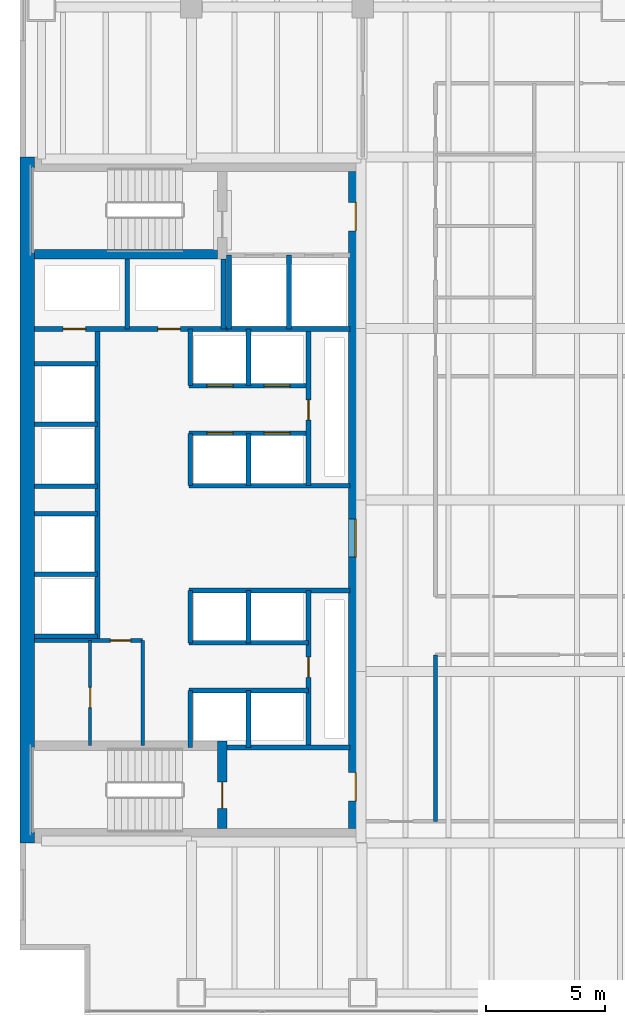
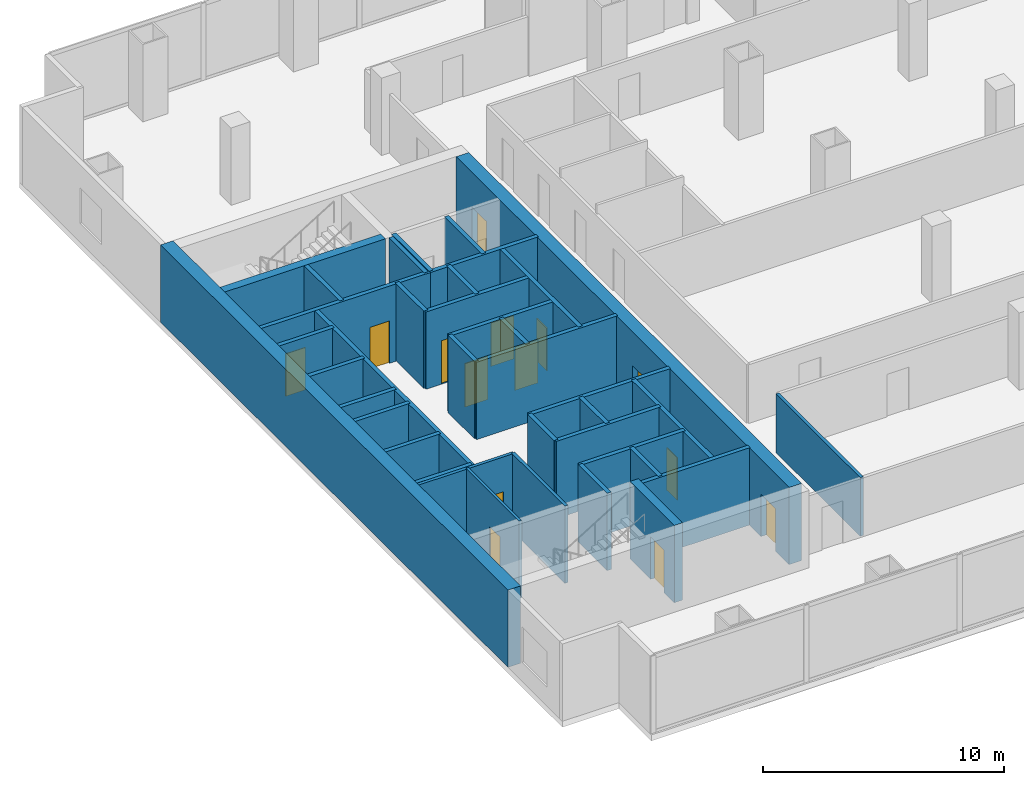
# One storey, part 22 of 29: 38 walls, 14 doors, 14 openings.
"""IFC4 building model written with IfcOpenShell, lengths in metres."""

from ifc_helpers import new_model, si_unit, direction, frame, frame_2d, origin, place, context, subcontext, project, spatial, rectangle, extrude, material, layer, layer_set, type_object, element, fill, save


model = new_model("IFC4")

# Units and contexts
model_context = context("Model", 3, precision=1e-05, world=origin(), true_north=direction((0.0, 1.0)))
body_context = subcontext(model_context, "Body", "Model", "MODEL_VIEW")
ifc_project = project(units=[si_unit("LENGTHUNIT", "METRE"), si_unit("AREAUNIT", "SQUARE_METRE"), si_unit("VOLUMEUNIT", "CUBIC_METRE"), si_unit("PLANEANGLEUNIT", "RADIAN"), si_unit("MASSUNIT", "GRAM", prefix="KILO")], contexts=[model_context])

# Site, building, storey
site_placement = place(None, origin())
site = spatial("IfcSite", under=ifc_project, at=site_placement, CompositionType="ELEMENT")
building_placement = place(site_placement, origin())
building = spatial("IfcBuilding", under=site, at=building_placement, Name="Cobrela Telecom Tower", CompositionType="ELEMENT")
storey_placement = place(building_placement, frame((0.0, 0.0, 13.64990234375)))
storey = spatial("IfcBuildingStorey", under=building, at=storey_placement, Name="L03", CompositionType="ELEMENT", Elevation=13.64990234375)

# Wall
ifc_material_1 = material(Name="Concrete C50/60", Category="concrete")
ifc_layer_1 = layer(ifc_material_1, 0.60009765625)
ifc_layer_set_1 = layer_set([ifc_layer_1], Name="Concrete C50/60")
wall_type_1 = type_object("IfcWallType", Name="WALL-CORE-C50-600", PredefinedType="SHEAR", material=ifc_layer_set_1)
wall_1_placement = place(storey_placement, frame((0.300048828125, 7.199951171875, 0.0), z_axis=(0.0, 0.0, 1.0), x_axis=(0.0, 1.0, 0.0)))
element("IfcWall", 1, at=wall_1_placement, inside=storey, type_object=wall_type_1, Name="L03 West Core Shear Wall", PredefinedType="SHEAR", context=body_context, shape_type="SweptSolid", body=[
    extrude(rectangle(XDim=28.800048828125, YDim=0.60009765625, at=frame_2d((14.39990234375, 0.0))), origin(), (0.0, 0.0, 1.0), 3.91015625),
])

# Wall, openings, doors
wall_2_placement = place(storey_placement, frame((14.10009765625, 35.39990234375, 0.0), z_axis=(0.0, 0.0, 1.0), x_axis=(0.0, -1.0, 0.0)))
wall_2 = element("IfcWall", 2, at=wall_2_placement, inside=storey, type_object=wall_type_1, Name="L03 East Core Shear Wall", PredefinedType="SHEAR", context=body_context, shape_type="SweptSolid", body=[
    extrude(rectangle(XDim=27.599853515625, YDim=0.60009765625, at=frame_2d((13.7998046875, 0.0))), origin(), (0.0, 0.0, 1.0), 3.91015625),
])
opening_1_placement = place(wall_2_placement, frame((1.300048828125, 0.0, 0.0)))
opening_1 = element("IfcOpeningElement", 3, at=opening_1_placement, cuts=wall_2, Name="Opening DR-19", PredefinedType="OPENING", context=body_context, shape_type="SweptSolid", body=[
    extrude(rectangle(XDim=1.199951171875, YDim=2.14990234375, at=frame_2d((0.60009765625, 1.074951171875))), frame((0.0, 0.31201171875, 0.0), z_axis=(0.0, -1.0, 0.0), x_axis=(1.0, 0.0, 0.0)), (0.0, 0.0, 1.0), 0.6240234375),
])
opening_2_placement = place(wall_2_placement, frame((25.25, 0.0, 0.0)))
opening_2 = element("IfcOpeningElement", 4, at=opening_2_placement, cuts=wall_2, Name="Opening DR-19", PredefinedType="OPENING", context=body_context, shape_type="SweptSolid", body=[
    extrude(rectangle(XDim=1.199951171875, YDim=2.14990234375, at=frame_2d((0.60009765625, 1.074951171875))), frame((0.0, 0.31201171875, 0.0), z_axis=(0.0, -1.0, 0.0), x_axis=(1.0, 0.0, 0.0)), (0.0, 0.0, 1.0), 0.6240234375),
])
opening_3_placement = place(wall_2_placement, frame((14.60009765625, 0.0, 0.0)))
opening_3 = element("IfcOpeningElement", 5, at=opening_3_placement, cuts=wall_2, Name="Opening DR-51", PredefinedType="OPENING", context=body_context, shape_type="SweptSolid", body=[
    extrude(rectangle(XDim=1.60009765625, YDim=2.199951171875, at=frame_2d((0.800048828125, 1.10009765625))), frame((0.0, 0.31201171875, 0.0), z_axis=(0.0, -1.0, 0.0), x_axis=(1.0, 0.0, 0.0)), (0.0, 0.0, 1.0), 0.6240234375),
])
ifc_material_2 = material(Name="Steel ASTM A36", Category="steel")
door_type_1 = type_object("IfcDoorType", Name="DOOR-FD60-1200", OperationType="SINGLE_SWING_LEFT", PredefinedType="DOOR", material=ifc_material_2)
door_1_placement = place(opening_1_placement, origin())
door_1 = element("IfcDoor", 6, at=door_1_placement, inside=storey, type_object=door_type_1, Name="L03 Door DR-19", OperationType="SINGLE_SWING_LEFT", OverallHeight=2.14990234375, OverallWidth=1.199951171875, PredefinedType="DOOR", context=body_context, shape_type="SweptSolid", body=[
    extrude(rectangle(XDim=1.199951171875, YDim=2.14990234375, at=frame_2d((0.60009765625, 1.074951171875))), frame((0.0, 0.02490234375, 0.0), z_axis=(0.0, -1.0, 0.0), x_axis=(1.0, 0.0, 0.0)), (0.0, 0.0, 1.0), 0.050048828125),
])
fill(opening_1, door_1)
door_2_placement = place(opening_2_placement, origin())
door_2 = element("IfcDoor", 7, at=door_2_placement, inside=storey, type_object=door_type_1, Name="L03 Door DR-19", OperationType="SINGLE_SWING_RIGHT", OverallHeight=2.14990234375, OverallWidth=1.199951171875, PredefinedType="DOOR", context=body_context, shape_type="SweptSolid", body=[
    extrude(rectangle(XDim=1.199951171875, YDim=2.14990234375, at=frame_2d((0.60009765625, 1.074951171875))), frame((0.0, 0.02490234375, 0.0), z_axis=(0.0, -1.0, 0.0), x_axis=(1.0, 0.0, 0.0)), (0.0, 0.0, 1.0), 0.050048828125),
])
fill(opening_2, door_2)
door_type_2 = type_object("IfcDoorType", Name="DOOR-FD60-1600", OperationType="SINGLE_SWING_LEFT", PredefinedType="DOOR", material=ifc_material_2)
door_3_placement = place(opening_3_placement, origin())
door_3 = element("IfcDoor", 8, at=door_3_placement, inside=storey, type_object=door_type_2, Name="L03 Door DR-51", OperationType="DOUBLE_DOOR_SINGLE_SWING", OverallHeight=2.199951171875, OverallWidth=1.60009765625, PredefinedType="DOOR", context=body_context, shape_type="SweptSolid", body=[
    extrude(rectangle(XDim=1.60009765625, YDim=2.199951171875, at=frame_2d((0.800048828125, 1.10009765625))), frame((0.0, 0.02490234375, 0.0), z_axis=(0.0, -1.0, 0.0), x_axis=(1.0, 0.0, 0.0)), (0.0, 0.0, 1.0), 0.050048828125),
])
fill(opening_3, door_3)

# Wall, opening, door
ifc_material_3 = material(Name="Fire-Rated Gypsum Plasterboard")
ifc_layer_2 = layer(ifc_material_3, 0.125)
ifc_layer_set_2 = layer_set([ifc_layer_2], Name="Fire-Rated Gypsum Plasterboard")
wall_type_2 = type_object("IfcWallType", Name="WALL-PART-125", PredefinedType="PARTITIONING", material=ifc_layer_set_2)
wall_3_placement = place(storey_placement, frame((2.949951171875, 11.280029296875, 0.0), z_axis=(0.0, 0.0, 1.0), x_axis=(0.0, 1.0, 0.0)))
wall_3 = element("IfcWall", 9, at=wall_3_placement, inside=storey, type_object=wall_type_2, Name="L03 Interior Partition CW-FK1-V", PredefinedType="PARTITIONING", context=body_context, shape_type="SweptSolid", body=[
    extrude(rectangle(XDim=4.419921875, YDim=0.125, at=frame_2d((2.2099609375, 0.0))), origin(), (0.0, 0.0, 1.0), 3.91015625),
])
opening_4_placement = place(wall_3_placement, frame((1.60009765625, 0.0, 0.0)))
opening_4 = element("IfcOpeningElement", 10, at=opening_4_placement, cuts=wall_3, Name="Opening DR-11", PredefinedType="OPENING", context=body_context, shape_type="SweptSolid", body=[
    extrude(rectangle(XDim=0.85009765625, YDim=2.14990234375, at=frame_2d((0.425048828125, 1.074951171875))), frame((0.0, 0.074462890625, 0.0), z_axis=(0.0, -1.0, 0.0), x_axis=(1.0, 0.0, 0.0)), (0.0, 0.0, 1.0), 0.14892578125),
])
ifc_material_4 = material(Name="Solid Engineered Oak Timber", Category="wood")
door_type_3 = type_object("IfcDoorType", Name="DOOR-INT-850", OperationType="SINGLE_SWING_LEFT", PredefinedType="DOOR", material=ifc_material_4)
door_4_placement = place(opening_4_placement, origin())
door_4 = element("IfcDoor", 11, at=door_4_placement, inside=storey, type_object=door_type_3, Name="L03 Door DR-11", OperationType="SINGLE_SWING_RIGHT", OverallHeight=2.14990234375, OverallWidth=0.85009765625, PredefinedType="DOOR", context=body_context, shape_type="SweptSolid", body=[
    extrude(rectangle(XDim=0.85009765625, YDim=2.14990234375, at=frame_2d((0.425048828125, 1.074951171875))), frame((0.0, 0.02490234375, 0.0), z_axis=(0.0, -1.0, 0.0), x_axis=(1.0, 0.0, 0.0)), (0.0, 0.0, 1.0), 0.050048828125),
])
fill(opening_4, door_4)

ifc_layer_3 = layer(ifc_material_3, 0.14990234375)
ifc_layer_set_3 = layer_set([ifc_layer_3], Name="Fire-Rated Gypsum Plasterboard")
wall_type_3 = type_object("IfcWallType", Name="WALL-PART-150", PredefinedType="PARTITIONING", material=ifc_layer_set_3)
wall_4_placement = place(storey_placement, frame((0.60009765625, 15.699951171875, 0.0), z_axis=(0.0, 0.0, 1.0), x_axis=(1.0, 0.0, 0.0)))
wall_4 = element("IfcWall", 12, at=wall_4_placement, inside=storey, type_object=wall_type_3, Name="L03 Interior Partition CW-FLEX-N", PredefinedType="PARTITIONING", context=body_context, shape_type="SweptSolid", body=[
    extrude(rectangle(XDim=4.5498046875, YDim=0.14990234375, at=frame_2d((2.27490234375, 0.0))), origin(), (0.0, 0.0, 1.0), 3.91015625),
])
opening_5_placement = place(wall_4_placement, frame((3.199951171875, 0.0, 0.0)))
opening_5 = element("IfcOpeningElement", 13, at=opening_5_placement, cuts=wall_4, Name="Opening DR-11", PredefinedType="OPENING", context=body_context, shape_type="SweptSolid", body=[
    extrude(rectangle(XDim=0.85009765625, YDim=2.14990234375, at=frame_2d((0.425048828125, 1.074951171875))), frame((0.0, 0.0869140625, 0.0), z_axis=(0.0, -1.0, 0.0), x_axis=(1.0, 0.0, 0.0)), (0.0, 0.0, 1.0), 0.173828125),
])
door_5_placement = place(opening_5_placement, origin())
door_5 = element("IfcDoor", 14, at=door_5_placement, inside=storey, type_object=door_type_3, Name="L03 Door DR-11", OperationType="SINGLE_SWING_LEFT", OverallHeight=2.14990234375, OverallWidth=0.85009765625, PredefinedType="DOOR", context=body_context, shape_type="SweptSolid", body=[
    extrude(rectangle(XDim=0.85009765625, YDim=2.14990234375, at=frame_2d((0.425048828125, 1.074951171875))), frame((0.0, 0.02490234375, 0.0), z_axis=(0.0, -1.0, 0.0), x_axis=(1.0, 0.0, 0.0)), (0.0, 0.0, 1.0), 0.050048828125),
])
fill(opening_5, door_5)

# Walls
wall_5_placement = place(storey_placement, frame((5.14990234375, 11.280029296875, 0.0), z_axis=(0.0, 0.0, 1.0), x_axis=(0.0, 1.0, 0.0)))
element("IfcWall", 15, at=wall_5_placement, inside=storey, type_object=wall_type_3, Name="L03 Interior Partition CW-FLEX-E", PredefinedType="PARTITIONING", context=body_context, shape_type="SweptSolid", body=[
    extrude(rectangle(XDim=4.419921875, YDim=0.14990234375, at=frame_2d((2.2099609375, 0.0))), origin(), (0.0, 0.0, 1.0), 3.91015625),
])
wall_6_placement = place(storey_placement, frame((17.449951171875, 8.10009765625, 0.0), z_axis=(0.0, 0.0, 1.0), x_axis=(0.0, 1.0, 0.0)))
element("IfcWall", 16, at=wall_6_placement, inside=storey, type_object=wall_type_3, Name="L03 Interior Partition W-PC-E1", PredefinedType="PARTITIONING", context=body_context, shape_type="SweptSolid", body=[
    extrude(rectangle(XDim=7.0, YDim=0.14990234375, at=frame_2d((3.5, 0.0))), origin(), (0.0, 0.0, 1.0), 2.968017578125),
])
ifc_layer_4 = layer(ifc_material_3, 0.199951171875)
ifc_layer_set_4 = layer_set([ifc_layer_4], Name="Fire-Rated Gypsum Plasterboard")
wall_type_4 = type_object("IfcWallType", Name="WALL-SHAFT-200", PredefinedType="PARTITIONING", material=ifc_layer_set_4)
for number, where, z_axis, x_axis, name in (
    (17, (8.699951171875, 11.199951171875, 0.0), (0.0, 0.0, 1.0), (1.0, 0.0, 0.0), "L03 Shaft Enclosure CW-ST2L-N"),
    (18, (8.699951171875, 28.780029296875, 0.0), (0.0, 0.0, 1.0), (1.0, 0.0, 0.0), "L03 Shaft Enclosure CW-FFL-S2"),
):
    element("IfcWall", number, at=place(storey_placement, frame(where, z_axis=z_axis, x_axis=x_axis)), inside=storey, type_object=wall_type_4, Name=name, PredefinedType="PARTITIONING", context=body_context, shape_type="SweptSolid", body=[
        extrude(rectangle(XDim=5.150146484375, YDim=0.199951171875, at=frame_2d((2.5751953125, 0.0))), origin(), (0.0, 0.0, 1.0), 3.91015625),
    ])
for number, where, z_axis, x_axis, name in (
    (19, (8.780029296875, 28.780029296875, 0.0), (0.0, 0.0, 1.0), (0.0, 1.0, 0.0), "L03 Shaft Enclosure CW-FFL-W"),
    (20, (11.300048828125, 28.780029296875, 0.0), (0.0, 0.0, 1.0), (0.0, 1.0, 0.0), "L03 Shaft Enclosure CW-FFL-M"),
):
    element("IfcWall", number, at=place(storey_placement, frame(where, z_axis=z_axis, x_axis=x_axis)), inside=storey, type_object=wall_type_4, Name=name, PredefinedType="PARTITIONING", context=body_context, shape_type="SweptSolid", body=[
        extrude(rectangle(XDim=3.099853515625, YDim=0.199951171875, at=frame_2d((1.5498046875, 0.0))), origin(), (0.0, 0.0, 1.0), 3.91015625),
    ])

# Wall, openings, doors
wall_7_placement = place(storey_placement, frame((0.60009765625, 28.780029296875, 0.0), z_axis=(0.0, 0.0, 1.0), x_axis=(1.0, 0.0, 0.0)))
wall_7 = element("IfcWall", 21, at=wall_7_placement, inside=storey, type_object=wall_type_4, Name="L03 Shaft Enclosure CW-RIS-S", PredefinedType="PARTITIONING", context=body_context, shape_type="SweptSolid", body=[
    extrude(rectangle(XDim=8.179931640625, YDim=0.199951171875, at=frame_2d((4.08984375, 0.0))), origin(), (0.0, 0.0, 1.0), 3.91015625),
])
opening_6_placement = place(wall_7_placement, frame((1.2099609375, 0.0, 0.0)))
opening_6 = element("IfcOpeningElement", 22, at=opening_6_placement, cuts=wall_7, Name="Opening DR-65", PredefinedType="OPENING", context=body_context, shape_type="SweptSolid", body=[
    extrude(rectangle(XDim=0.949951171875, YDim=2.14990234375, at=frame_2d((0.47509765625, 1.074951171875))), frame((0.0, 0.11181640625, 0.0), z_axis=(0.0, -1.0, 0.0), x_axis=(1.0, 0.0, 0.0)), (0.0, 0.0, 1.0), 0.223876953125),
])
opening_7_placement = place(wall_7_placement, frame((5.18994140625, 0.0, 0.0)))
opening_7 = element("IfcOpeningElement", 23, at=opening_7_placement, cuts=wall_7, Name="Opening DR-65", PredefinedType="OPENING", context=body_context, shape_type="SweptSolid", body=[
    extrude(rectangle(XDim=0.949951171875, YDim=2.14990234375, at=frame_2d((0.47509765625, 1.074951171875))), frame((0.0, 0.11181640625, 0.0), z_axis=(0.0, -1.0, 0.0), x_axis=(1.0, 0.0, 0.0)), (0.0, 0.0, 1.0), 0.223876953125),
])
door_type_4 = type_object("IfcDoorType", Name="DOOR-FD60-950", OperationType="SINGLE_SWING_LEFT", PredefinedType="DOOR", material=ifc_material_2)
door_6_placement = place(opening_6_placement, origin())
door_6 = element("IfcDoor", 24, at=door_6_placement, inside=storey, type_object=door_type_4, Name="L03 Door DR-65", OperationType="SINGLE_SWING_LEFT", OverallHeight=2.14990234375, OverallWidth=0.949951171875, PredefinedType="DOOR", context=body_context, shape_type="SweptSolid", body=[
    extrude(rectangle(XDim=0.949951171875, YDim=2.14990234375, at=frame_2d((0.47509765625, 1.074951171875))), frame((0.0, 0.02490234375, 0.0), z_axis=(0.0, -1.0, 0.0), x_axis=(1.0, 0.0, 0.0)), (0.0, 0.0, 1.0), 0.050048828125),
])
fill(opening_6, door_6)
door_7_placement = place(opening_7_placement, origin())
door_7 = element("IfcDoor", 25, at=door_7_placement, inside=storey, type_object=door_type_4, Name="L03 Door DR-65", OperationType="SINGLE_SWING_RIGHT", OverallHeight=2.14990234375, OverallWidth=0.949951171875, PredefinedType="DOOR", context=body_context, shape_type="SweptSolid", body=[
    extrude(rectangle(XDim=0.949951171875, YDim=2.14990234375, at=frame_2d((0.47509765625, 1.074951171875))), frame((0.0, 0.02490234375, 0.0), z_axis=(0.0, -1.0, 0.0), x_axis=(1.0, 0.0, 0.0)), (0.0, 0.0, 1.0), 0.050048828125),
])
fill(opening_7, door_7)

# Walls
for number, where, z_axis, x_axis, name in (
    (26, (4.5, 28.780029296875, 0.0), (0.0, 0.0, 1.0), (0.0, 1.0, 0.0), "L03 Shaft Enclosure CW-RIS-M"),
    (27, (8.550048828125, 28.780029296875, 0.0), (0.0, 0.0, 1.0), (0.0, 1.0, 0.0), "L03 Shaft Enclosure CW-RIS-E"),
):
    element("IfcWall", number, at=place(storey_placement, frame(where, z_axis=z_axis, x_axis=x_axis)), inside=storey, type_object=wall_type_4, Name=name, PredefinedType="PARTITIONING", context=body_context, shape_type="SweptSolid", body=[
        extrude(rectangle(XDim=2.93994140625, YDim=0.199951171875, at=frame_2d((1.469970703125, 0.0))), origin(), (0.0, 0.0, 1.0), 3.91015625),
    ])
wall_8_placement = place(storey_placement, frame((3.25, 15.699951171875, 0.0), z_axis=(0.0, 0.0, 1.0), x_axis=(0.0, 1.0, 0.0)))
element("IfcWall", 28, at=wall_8_placement, inside=storey, type_object=wall_type_4, Name="L03 Shaft Enclosure CW-PLH-E", PredefinedType="PARTITIONING", context=body_context, shape_type="SweptSolid", body=[
    extrude(rectangle(XDim=13.080078125, YDim=0.199951171875, at=frame_2d((6.5400390625, 0.0))), origin(), (0.0, 0.0, 1.0), 3.91015625),
])
for number, where, z_axis, x_axis, name in (
    (29, (0.60009765625, 15.8798828125, 0.0), (0.0, 0.0, 1.0), (1.0, 0.0, 0.0), "L03 Shaft Enclosure CW-PLH-D9"),
    (30, (0.60009765625, 18.47998046875, 0.0), (0.0, 0.0, 1.0), (1.0, 0.0, 0.0), "L03 Shaft Enclosure CW-PLH-D10"),
    (31, (0.60009765625, 22.179931640625, 0.0), (0.0, 0.0, 1.0), (1.0, 0.0, 0.0), "L03 Shaft Enclosure CW-PLH-D11"),
    (32, (0.60009765625, 24.780029296875, 0.0), (0.0, 0.0, 1.0), (1.0, 0.0, 0.0), "L03 Shaft Enclosure CW-PLH-D12"),
    (33, (0.60009765625, 21.02001953125, 0.0), (0.0, 0.0, 1.0), (1.0, 0.0, 0.0), "L03 Shaft Enclosure CW-PLH-MID"),
    (34, (0.60009765625, 27.320068359375, 0.0), (0.0, 0.0, 1.0), (1.0, 0.0, 0.0), "L03 Shaft Enclosure CW-PLH-TOP"),
):
    element("IfcWall", number, at=place(storey_placement, frame(where, z_axis=z_axis, x_axis=x_axis)), inside=storey, type_object=wall_type_4, Name=name, PredefinedType="PARTITIONING", context=body_context, shape_type="SweptSolid", body=[
        extrude(rectangle(XDim=2.64990234375, YDim=0.199951171875, at=frame_2d((1.324951171875, 0.0))), origin(), (0.0, 0.0, 1.0), 3.91015625),
    ])
wall_9_placement = place(storey_placement, frame((7.10009765625, 22.199951171875, 0.0), z_axis=(0.0, 0.0, 1.0), x_axis=(1.0, 0.0, 0.0)))
element("IfcWall", 35, at=wall_9_placement, inside=storey, type_object=wall_type_4, Name="L03 Shaft Enclosure CW-PLL-B0", PredefinedType="PARTITIONING", context=body_context, shape_type="SweptSolid", body=[
    extrude(rectangle(XDim=6.75, YDim=0.199951171875, at=frame_2d((3.375, 0.0))), origin(), (0.0, 0.0, 1.0), 3.91015625),
])

# Wall, openings, doors
wall_10_placement = place(storey_placement, frame((7.10009765625, 24.39990234375, 0.0), z_axis=(0.0, 0.0, 1.0), x_axis=(1.0, 0.0, 0.0)))
wall_10 = element("IfcWall", 36, at=wall_10_placement, inside=storey, type_object=wall_type_4, Name="L03 Shaft Enclosure CW-PLL-S", PredefinedType="PARTITIONING", context=body_context, shape_type="SweptSolid", body=[
    extrude(rectangle(XDim=5.02001953125, YDim=0.199951171875, at=frame_2d((2.510009765625, 0.0))), origin(), (0.0, 0.0, 1.0), 3.91015625),
])
opening_8_placement = place(wall_10_placement, frame((0.75, 0.0, 0.0)))
opening_8 = element("IfcOpeningElement", 37, at=opening_8_placement, cuts=wall_10, Name="Opening LD-1", PredefinedType="OPENING", context=body_context, shape_type="SweptSolid", body=[
    extrude(rectangle(XDim=1.10009765625, YDim=2.199951171875, at=frame_2d((0.550048828125, 1.10009765625))), frame((0.0, 0.11181640625, 0.0), z_axis=(0.0, -1.0, 0.0), x_axis=(1.0, 0.0, 0.0)), (0.0, 0.0, 1.0), 0.223876953125),
])
opening_9_placement = place(wall_10_placement, frame((3.14990234375, 0.0, 0.0)))
opening_9 = element("IfcOpeningElement", 38, at=opening_9_placement, cuts=wall_10, Name="Opening LD-1", PredefinedType="OPENING", context=body_context, shape_type="SweptSolid", body=[
    extrude(rectangle(XDim=1.10009765625, YDim=2.199951171875, at=frame_2d((0.550048828125, 1.10009765625))), frame((0.0, 0.11181640625, 0.0), z_axis=(0.0, -1.0, 0.0), x_axis=(1.0, 0.0, 0.0)), (0.0, 0.0, 1.0), 0.223876953125),
])
door_type_5 = type_object("IfcDoorType", Name="DOOR-LD-PL", OperationType="SINGLE_SWING_LEFT", PredefinedType="DOOR", material=ifc_material_2)
door_8_placement = place(opening_8_placement, origin())
door_8 = element("IfcDoor", 39, at=door_8_placement, inside=storey, type_object=door_type_5, Name="L03 Lift Landing Door LD-1", OperationType="DOUBLE_DOOR_SLIDING", OverallHeight=2.199951171875, OverallWidth=1.10009765625, PredefinedType="DOOR", context=body_context, shape_type="SweptSolid", body=[
    extrude(rectangle(XDim=1.10009765625, YDim=2.199951171875, at=frame_2d((0.550048828125, 1.10009765625))), frame((0.0, 0.02490234375, 0.0), z_axis=(0.0, -1.0, 0.0), x_axis=(1.0, 0.0, 0.0)), (0.0, 0.0, 1.0), 0.050048828125),
])
fill(opening_8, door_8)
door_9_placement = place(opening_9_placement, origin())
door_9 = element("IfcDoor", 40, at=door_9_placement, inside=storey, type_object=door_type_5, Name="L03 Lift Landing Door LD-1", OperationType="DOUBLE_DOOR_SLIDING", OverallHeight=2.199951171875, OverallWidth=1.10009765625, PredefinedType="DOOR", context=body_context, shape_type="SweptSolid", body=[
    extrude(rectangle(XDim=1.10009765625, YDim=2.199951171875, at=frame_2d((0.550048828125, 1.10009765625))), frame((0.0, 0.02490234375, 0.0), z_axis=(0.0, -1.0, 0.0), x_axis=(1.0, 0.0, 0.0)), (0.0, 0.0, 1.0), 0.050048828125),
])
fill(opening_9, door_9)

wall_11_placement = place(storey_placement, frame((7.10009765625, 26.39990234375, 0.0), z_axis=(0.0, 0.0, 1.0), x_axis=(1.0, 0.0, 0.0)))
wall_11 = element("IfcWall", 41, at=wall_11_placement, inside=storey, type_object=wall_type_4, Name="L03 Shaft Enclosure CW-PLL-N", PredefinedType="PARTITIONING", context=body_context, shape_type="SweptSolid", body=[
    extrude(rectangle(XDim=5.02001953125, YDim=0.199951171875, at=frame_2d((2.510009765625, 0.0))), origin(), (0.0, 0.0, 1.0), 3.91015625),
])
opening_10_placement = place(wall_11_placement, frame((0.75, 0.0, 0.0)))
opening_10 = element("IfcOpeningElement", 42, at=opening_10_placement, cuts=wall_11, Name="Opening LD-1", PredefinedType="OPENING", context=body_context, shape_type="SweptSolid", body=[
    extrude(rectangle(XDim=1.10009765625, YDim=2.199951171875, at=frame_2d((0.550048828125, 1.10009765625))), frame((0.0, 0.11181640625, 0.0), z_axis=(0.0, -1.0, 0.0), x_axis=(1.0, 0.0, 0.0)), (0.0, 0.0, 1.0), 0.223876953125),
])
opening_11_placement = place(wall_11_placement, frame((3.14990234375, 0.0, 0.0)))
opening_11 = element("IfcOpeningElement", 43, at=opening_11_placement, cuts=wall_11, Name="Opening LD-1", PredefinedType="OPENING", context=body_context, shape_type="SweptSolid", body=[
    extrude(rectangle(XDim=1.10009765625, YDim=2.199951171875, at=frame_2d((0.550048828125, 1.10009765625))), frame((0.0, 0.11181640625, 0.0), z_axis=(0.0, -1.0, 0.0), x_axis=(1.0, 0.0, 0.0)), (0.0, 0.0, 1.0), 0.223876953125),
])
door_10_placement = place(opening_10_placement, origin())
door_10 = element("IfcDoor", 44, at=door_10_placement, inside=storey, type_object=door_type_5, Name="L03 Lift Landing Door LD-1", OperationType="DOUBLE_DOOR_SLIDING", OverallHeight=2.199951171875, OverallWidth=1.10009765625, PredefinedType="DOOR", context=body_context, shape_type="SweptSolid", body=[
    extrude(rectangle(XDim=1.10009765625, YDim=2.199951171875, at=frame_2d((0.550048828125, 1.10009765625))), frame((0.0, 0.02490234375, 0.0), z_axis=(0.0, -1.0, 0.0), x_axis=(1.0, 0.0, 0.0)), (0.0, 0.0, 1.0), 0.050048828125),
])
fill(opening_10, door_10)
door_11_placement = place(opening_11_placement, origin())
door_11 = element("IfcDoor", 45, at=door_11_placement, inside=storey, type_object=door_type_5, Name="L03 Lift Landing Door LD-1", OperationType="DOUBLE_DOOR_SLIDING", OverallHeight=2.199951171875, OverallWidth=1.10009765625, PredefinedType="DOOR", context=body_context, shape_type="SweptSolid", body=[
    extrude(rectangle(XDim=1.10009765625, YDim=2.199951171875, at=frame_2d((0.550048828125, 1.10009765625))), frame((0.0, 0.02490234375, 0.0), z_axis=(0.0, -1.0, 0.0), x_axis=(1.0, 0.0, 0.0)), (0.0, 0.0, 1.0), 0.050048828125),
])
fill(opening_11, door_11)

# Walls
wall_12_placement = place(storey_placement, frame((7.14990234375, 22.199951171875, 0.0), z_axis=(0.0, 0.0, 1.0), x_axis=(0.0, 1.0, 0.0)))
element("IfcWall", 46, at=wall_12_placement, inside=storey, type_object=wall_type_4, Name="L03 Shaft Enclosure CW-PLL-V1", PredefinedType="PARTITIONING", context=body_context, shape_type="SweptSolid", body=[
    extrude(rectangle(XDim=2.199951171875, YDim=0.199951171875, at=frame_2d((1.10009765625, 0.0))), origin(), (0.0, 0.0, 1.0), 3.91015625),
])
wall_13_placement = place(storey_placement, frame((7.14990234375, 26.39990234375, 0.0), z_axis=(0.0, 0.0, 1.0), x_axis=(0.0, 1.0, 0.0)))
element("IfcWall", 47, at=wall_13_placement, inside=storey, type_object=wall_type_4, Name="L03 Shaft Enclosure CW-PLL-V1B", PredefinedType="PARTITIONING", context=body_context, shape_type="SweptSolid", body=[
    extrude(rectangle(XDim=2.380126953125, YDim=0.199951171875, at=frame_2d((1.18994140625, 0.0))), origin(), (0.0, 0.0, 1.0), 3.91015625),
])
wall_14_placement = place(storey_placement, frame((9.60009765625, 22.199951171875, 0.0), z_axis=(0.0, 0.0, 1.0), x_axis=(0.0, 1.0, 0.0)))
element("IfcWall", 48, at=wall_14_placement, inside=storey, type_object=wall_type_4, Name="L03 Shaft Enclosure CW-PLL-V2", PredefinedType="PARTITIONING", context=body_context, shape_type="SweptSolid", body=[
    extrude(rectangle(XDim=2.199951171875, YDim=0.199951171875, at=frame_2d((1.10009765625, 0.0))), origin(), (0.0, 0.0, 1.0), 3.91015625),
])
wall_15_placement = place(storey_placement, frame((9.60009765625, 26.39990234375, 0.0), z_axis=(0.0, 0.0, 1.0), x_axis=(0.0, 1.0, 0.0)))
element("IfcWall", 49, at=wall_15_placement, inside=storey, type_object=wall_type_4, Name="L03 Shaft Enclosure CW-PLL-V2B", PredefinedType="PARTITIONING", context=body_context, shape_type="SweptSolid", body=[
    extrude(rectangle(XDim=2.380126953125, YDim=0.199951171875, at=frame_2d((1.18994140625, 0.0))), origin(), (0.0, 0.0, 1.0), 3.91015625),
])

# Wall, opening, door
wall_16_placement = place(storey_placement, frame((12.1201171875, 22.199951171875, 0.0), z_axis=(0.0, 0.0, 1.0), x_axis=(0.0, 1.0, 0.0)))
wall_16 = element("IfcWall", 50, at=wall_16_placement, inside=storey, type_object=wall_type_4, Name="L03 Shaft Enclosure CW-PLL-V3", PredefinedType="PARTITIONING", context=body_context, shape_type="SweptSolid", body=[
    extrude(rectangle(XDim=6.580078125, YDim=0.199951171875, at=frame_2d((3.2900390625, 0.0))), origin(), (0.0, 0.0, 1.0), 3.91015625),
])
opening_12_placement = place(wall_16_placement, frame((2.75, 0.0, 0.0)))
opening_12 = element("IfcOpeningElement", 51, at=opening_12_placement, cuts=wall_16, Name="Opening DR-11", PredefinedType="OPENING", context=body_context, shape_type="SweptSolid", body=[
    extrude(rectangle(XDim=0.85009765625, YDim=2.14990234375, at=frame_2d((0.425048828125, 1.074951171875))), frame((0.0, 0.11181640625, 0.0), z_axis=(0.0, -1.0, 0.0), x_axis=(1.0, 0.0, 0.0)), (0.0, 0.0, 1.0), 0.223876953125),
])
door_12_placement = place(opening_12_placement, origin())
door_12 = element("IfcDoor", 52, at=door_12_placement, inside=storey, type_object=door_type_3, Name="L03 Door DR-11", OperationType="SINGLE_SWING_LEFT", OverallHeight=2.14990234375, OverallWidth=0.85009765625, PredefinedType="DOOR", context=body_context, shape_type="SweptSolid", body=[
    extrude(rectangle(XDim=0.85009765625, YDim=2.14990234375, at=frame_2d((0.425048828125, 1.074951171875))), frame((0.0, 0.02490234375, 0.0), z_axis=(0.0, -1.0, 0.0), x_axis=(1.0, 0.0, 0.0)), (0.0, 0.0, 1.0), 0.050048828125),
])
fill(opening_12, door_12)

# Walls
wall_17_placement = place(storey_placement, frame((7.10009765625, 17.800048828125, 0.0), z_axis=(0.0, 0.0, 1.0), x_axis=(1.0, 0.0, 0.0)))
element("IfcWall", 53, at=wall_17_placement, inside=storey, type_object=wall_type_4, Name="L03 Shaft Enclosure CW-PLM-T0", PredefinedType="PARTITIONING", context=body_context, shape_type="SweptSolid", body=[
    extrude(rectangle(XDim=6.75, YDim=0.199951171875, at=frame_2d((3.375, 0.0))), origin(), (0.0, 0.0, 1.0), 3.91015625),
])
for number, where, z_axis, x_axis, name in (
    (54, (7.10009765625, 15.60009765625, 0.0), (0.0, 0.0, 1.0), (1.0, 0.0, 0.0), "L03 Shaft Enclosure CW-PLM-N"),
    (55, (7.10009765625, 13.60009765625, 0.0), (0.0, 0.0, 1.0), (1.0, 0.0, 0.0), "L03 Shaft Enclosure CW-PLM-S"),
):
    element("IfcWall", number, at=place(storey_placement, frame(where, z_axis=z_axis, x_axis=x_axis)), inside=storey, type_object=wall_type_4, Name=name, PredefinedType="PARTITIONING", context=body_context, shape_type="SweptSolid", body=[
        extrude(rectangle(XDim=5.02001953125, YDim=0.199951171875, at=frame_2d((2.510009765625, 0.0))), origin(), (0.0, 0.0, 1.0), 3.91015625),
    ])
wall_18_placement = place(storey_placement, frame((7.14990234375, 15.60009765625, 0.0), z_axis=(0.0, 0.0, 1.0), x_axis=(0.0, 1.0, 0.0)))
element("IfcWall", 56, at=wall_18_placement, inside=storey, type_object=wall_type_4, Name="L03 Shaft Enclosure CW-PLM-V1", PredefinedType="PARTITIONING", context=body_context, shape_type="SweptSolid", body=[
    extrude(rectangle(XDim=2.199951171875, YDim=0.199951171875, at=frame_2d((1.10009765625, 0.0))), origin(), (0.0, 0.0, 1.0), 3.91015625),
])
wall_19_placement = place(storey_placement, frame((7.14990234375, 11.199951171875, 0.0), z_axis=(0.0, 0.0, 1.0), x_axis=(0.0, 1.0, 0.0)))
element("IfcWall", 57, at=wall_19_placement, inside=storey, type_object=wall_type_4, Name="L03 Shaft Enclosure CW-PLM-V1B", PredefinedType="PARTITIONING", context=body_context, shape_type="SweptSolid", body=[
    extrude(rectangle(XDim=2.400146484375, YDim=0.199951171875, at=frame_2d((1.2001953125, 0.0))), origin(), (0.0, 0.0, 1.0), 3.91015625),
])
wall_20_placement = place(storey_placement, frame((9.60009765625, 15.60009765625, 0.0), z_axis=(0.0, 0.0, 1.0), x_axis=(0.0, 1.0, 0.0)))
element("IfcWall", 58, at=wall_20_placement, inside=storey, type_object=wall_type_4, Name="L03 Shaft Enclosure CW-PLM-V2", PredefinedType="PARTITIONING", context=body_context, shape_type="SweptSolid", body=[
    extrude(rectangle(XDim=2.199951171875, YDim=0.199951171875, at=frame_2d((1.10009765625, 0.0))), origin(), (0.0, 0.0, 1.0), 3.91015625),
])
wall_21_placement = place(storey_placement, frame((9.60009765625, 11.199951171875, 0.0), z_axis=(0.0, 0.0, 1.0), x_axis=(0.0, 1.0, 0.0)))
element("IfcWall", 59, at=wall_21_placement, inside=storey, type_object=wall_type_4, Name="L03 Shaft Enclosure CW-PLM-V2B", PredefinedType="PARTITIONING", context=body_context, shape_type="SweptSolid", body=[
    extrude(rectangle(XDim=2.400146484375, YDim=0.199951171875, at=frame_2d((1.2001953125, 0.0))), origin(), (0.0, 0.0, 1.0), 3.91015625),
])

# Wall, opening, door
wall_22_placement = place(storey_placement, frame((12.1201171875, 11.199951171875, 0.0), z_axis=(0.0, 0.0, 1.0), x_axis=(0.0, 1.0, 0.0)))
wall_22 = element("IfcWall", 60, at=wall_22_placement, inside=storey, type_object=wall_type_4, Name="L03 Shaft Enclosure CW-PLM-V3", PredefinedType="PARTITIONING", context=body_context, shape_type="SweptSolid", body=[
    extrude(rectangle(XDim=6.60009765625, YDim=0.199951171875, at=frame_2d((3.300048828125, 0.0))), origin(), (0.0, 0.0, 1.0), 3.91015625),
])
opening_13_placement = place(wall_22_placement, frame((2.949951171875, 0.0, 0.0)))
opening_13 = element("IfcOpeningElement", 61, at=opening_13_placement, cuts=wall_22, Name="Opening DR-11", PredefinedType="OPENING", context=body_context, shape_type="SweptSolid", body=[
    extrude(rectangle(XDim=0.85009765625, YDim=2.14990234375, at=frame_2d((0.425048828125, 1.074951171875))), frame((0.0, 0.11181640625, 0.0), z_axis=(0.0, -1.0, 0.0), x_axis=(1.0, 0.0, 0.0)), (0.0, 0.0, 1.0), 0.223876953125),
])
door_13_placement = place(opening_13_placement, origin())
door_13 = element("IfcDoor", 62, at=door_13_placement, inside=storey, type_object=door_type_3, Name="L03 Door DR-11", OperationType="SINGLE_SWING_RIGHT", OverallHeight=2.14990234375, OverallWidth=0.85009765625, PredefinedType="DOOR", context=body_context, shape_type="SweptSolid", body=[
    extrude(rectangle(XDim=0.85009765625, YDim=2.14990234375, at=frame_2d((0.425048828125, 1.074951171875))), frame((0.0, 0.02490234375, 0.0), z_axis=(0.0, -1.0, 0.0), x_axis=(1.0, 0.0, 0.0)), (0.0, 0.0, 1.0), 0.050048828125),
])
fill(opening_13, door_13)

# Wall
ifc_material_5 = material(Name="Concrete C40/50", Category="concrete")
ifc_layer_5 = layer(ifc_material_5, 0.39990234375)
ifc_layer_set_5 = layer_set([ifc_layer_5], Name="Concrete C40/50")
wall_type_5 = type_object("IfcWallType", Name="WALL-SHAFT-C40-400", PredefinedType="SHEAR", material=ifc_layer_set_5)
wall_23_placement = place(storey_placement, frame((0.60009765625, 31.919921875, 0.0), z_axis=(0.0, 0.0, 1.0), x_axis=(1.0, 0.0, 0.0)))
element("IfcWall", 63, at=wall_23_placement, inside=storey, type_object=wall_type_5, Name="L03 North Stair Shear Wall", PredefinedType="SHEAR", context=body_context, shape_type="SweptSolid", body=[
    extrude(rectangle(XDim=7.699951171875, YDim=0.39990234375, at=frame_2d((3.85009765625, 0.0))), origin(), (0.0, 0.0, 1.0), 3.91015625),
])

# Wall, opening, door
wall_24_placement = place(storey_placement, frame((8.5, 7.800048828125, 0.0), z_axis=(0.0, 0.0, 1.0), x_axis=(0.0, 1.0, 0.0)))
wall_24 = element("IfcWall", 64, at=wall_24_placement, inside=storey, type_object=wall_type_5, Name="L03 South Stair Lobby Shear Wall", PredefinedType="SHEAR", context=body_context, shape_type="SweptSolid", body=[
    extrude(rectangle(XDim=3.679931640625, YDim=0.39990234375, at=frame_2d((1.83984375, 0.0))), origin(), (0.0, 0.0, 1.0), 3.91015625),
])
opening_14_placement = place(wall_24_placement, frame((0.85009765625, 0.0, 0.0)))
opening_14 = element("IfcOpeningElement", 65, at=opening_14_placement, cuts=wall_24, Name="Opening FD-90", PredefinedType="OPENING", context=body_context, shape_type="SweptSolid", body=[
    extrude(rectangle(XDim=1.10009765625, YDim=2.14990234375, at=frame_2d((0.550048828125, 1.074951171875))), frame((0.0, 0.2119140625, 0.0), z_axis=(0.0, -1.0, 0.0), x_axis=(1.0, 0.0, 0.0)), (0.0, 0.0, 1.0), 0.423828125),
])
door_type_6 = type_object("IfcDoorType", Name="DOOR-FD90-1100", OperationType="SINGLE_SWING_LEFT", PredefinedType="DOOR", material=ifc_material_2)
door_14_placement = place(opening_14_placement, origin())
door_14 = element("IfcDoor", 66, at=door_14_placement, inside=storey, type_object=door_type_6, Name="L03 Door FD-90", OperationType="SINGLE_SWING_LEFT", OverallHeight=2.14990234375, OverallWidth=1.10009765625, PredefinedType="DOOR", context=body_context, shape_type="SweptSolid", body=[
    extrude(rectangle(XDim=1.10009765625, YDim=2.14990234375, at=frame_2d((0.550048828125, 1.074951171875))), frame((0.0, 0.02490234375, 0.0), z_axis=(0.0, -1.0, 0.0), x_axis=(1.0, 0.0, 0.0)), (0.0, 0.0, 1.0), 0.050048828125),
])
fill(opening_14, door_14)

save(model, "model.ifc")
